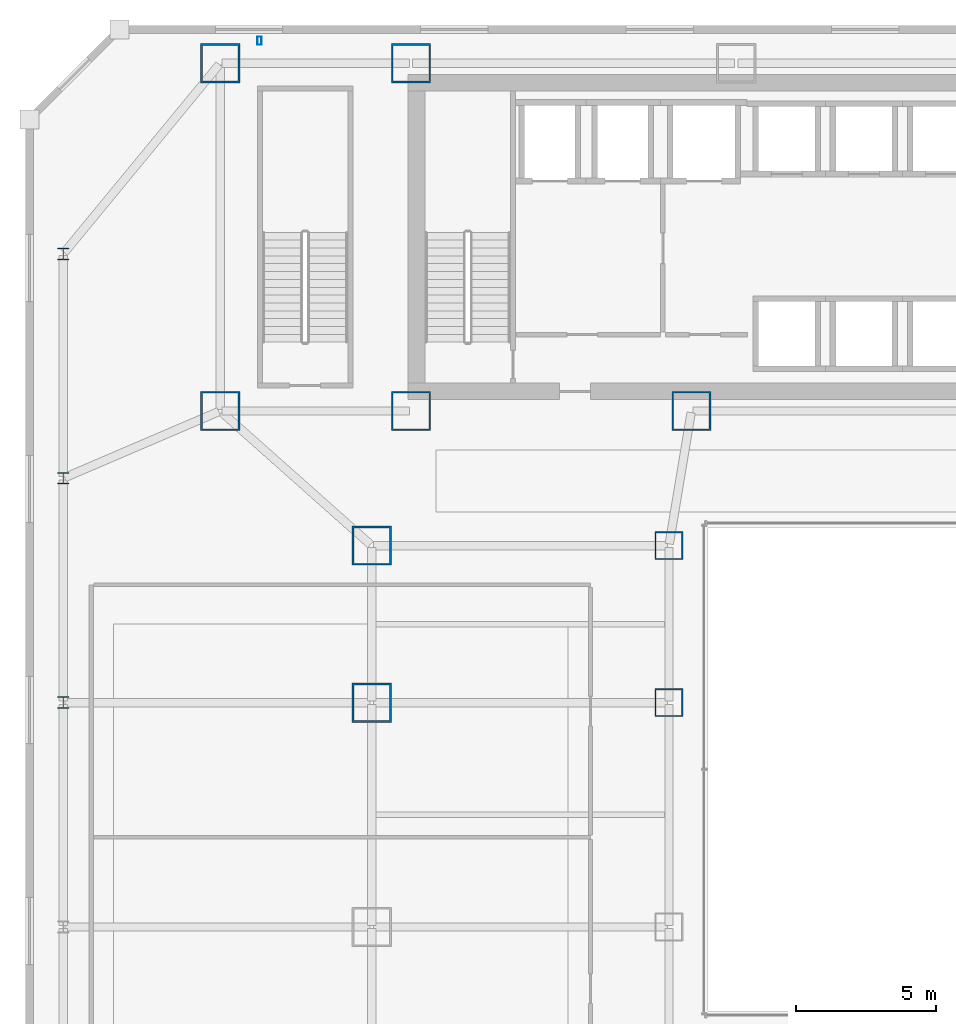
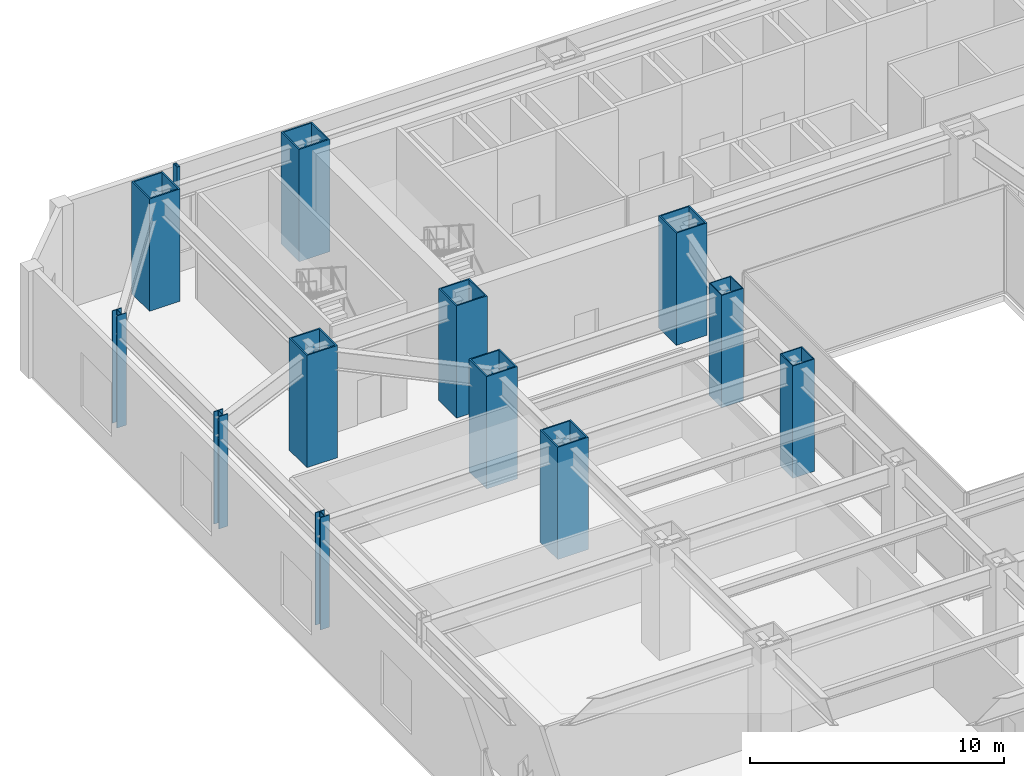
# One storey, part 3 of 53: 13 columns.
"""IFC4 building model written with IfcOpenShell, lengths in metres."""

import ifcopenshell
import ifcopenshell.guid

model = None  # the IFC model being written
_history = None  # IfcOwnerHistory: only IFC2X3 demands one
_inside = {}  # id of a spatial element -> (the spatial element, [elements in it])
_under = {}  # id of a project, library or spatial element -> (it, [spatial elements below it])
_declared = {}  # id of a project -> (the project, [libraries it declares])
_typed = {}  # id of a type object -> (the type object, [elements of that type])
_made_of = {}  # id of a material, layer set ... -> (it, [elements and type objects made of it])


def new_model(schema):
    """Start an empty IFC model of exactly this schema.

    Asked for "IFC4X3", IfcOpenShell would pick the latest addendum, in which some entities
    have other attributes; the version numbers below select the first issue.
    IFC2X3 requires an IfcOwnerHistory on every rooted entity: one is made here for all.
    """
    global model, _history
    if schema == "IFC4X3":
        model = ifcopenshell.file(schema_version=(4, 3, 0, 0))
    else:
        model = ifcopenshell.file(schema=schema)
    _inside.clear()
    _under.clear()
    _declared.clear()
    _typed.clear()
    _made_of.clear()
    _history = None
    if model.schema == "IFC2X3":
        org = make("IfcOrganization", Name="unknown")
        user = make(
            "IfcPersonAndOrganization",
            ThePerson=make("IfcPerson", FamilyName="unknown"),
            TheOrganization=org,
        )
        app = make(
            "IfcApplication",
            ApplicationDeveloper=org,
            Version="unknown",
            ApplicationFullName="unknown",
            ApplicationIdentifier="unknown",
        )
        _history = make(
            "IfcOwnerHistory",
            OwningUser=user,
            OwningApplication=app,
            ChangeAction="ADDED",
            CreationDate=0,
        )
    return model


def make(cls, **values):
    """One entity of the class cls with the attributes given. An attribute that is None is left unset."""
    return model.create_entity(
        cls, **{name: value for name, value in values.items() if value is not None}
    )


def rooted(cls, **values):
    """An entity with a GlobalId (a new one), such as an element, a storey or a relation."""
    return make(cls, GlobalId=ifcopenshell.guid.new(), OwnerHistory=_history, **values)


def si_unit(unit_type, name, prefix=None):
    """IfcSIUnit, for example si_unit("LENGTHUNIT", "METRE", prefix="MILLI")."""
    return make("IfcSIUnit", UnitType=unit_type, Prefix=prefix, Name=name)


def assignment(units):
    """IfcUnitAssignment: the units of a project."""
    return None if units is None else make("IfcUnitAssignment", Units=units)


def point(xyz):
    """IfcCartesianPoint."""
    return None if xyz is None else make("IfcCartesianPoint", Coordinates=xyz)


def direction(xyz):
    """IfcDirection."""
    return None if xyz is None else make("IfcDirection", DirectionRatios=xyz)


def frame(location, z_axis=None, x_axis=None):
    """IfcAxis2Placement3D, a coordinate frame: its origin and axes. An axis left out is left unset."""
    return make(
        "IfcAxis2Placement3D",
        Location=point(location),
        Axis=direction(z_axis),
        RefDirection=direction(x_axis),
    )


def frame_2d(location, x_axis=None):
    """IfcAxis2Placement2D, a coordinate frame in the plane: its origin and x axis."""
    return make(
        "IfcAxis2Placement2D", Location=point(location), RefDirection=direction(x_axis)
    )


def origin():
    """The frame at (0, 0, 0) with its axes left unset."""
    return frame((0.0, 0.0, 0.0))


def origin_2d():
    """The frame at (0, 0) in the plane with its x axis left unset."""
    return frame_2d((0.0, 0.0))


def place(relative_to, where):
    """IfcLocalPlacement: puts the frame where relative to a parent placement (None: the world)."""
    return make(
        "IfcLocalPlacement", PlacementRelTo=relative_to, RelativePlacement=where
    )


def context(
    kind, dimensions, precision=None, world=None, true_north=None, identifier=None
):
    """IfcGeometricRepresentationContext, for example the 3D "Model" context."""
    return make(
        "IfcGeometricRepresentationContext",
        ContextIdentifier=identifier,
        ContextType=kind,
        CoordinateSpaceDimension=dimensions,
        Precision=precision,
        WorldCoordinateSystem=world,
        TrueNorth=true_north,
    )


def subcontext(parent, identifier, kind, view, scale=None):
    """IfcGeometricRepresentationSubContext, for example "Body" below "Model"."""
    return make(
        "IfcGeometricRepresentationSubContext",
        ContextIdentifier=identifier,
        ContextType=kind,
        ParentContext=parent,
        TargetScale=scale,
        TargetView=view,
    )


def project(units=None, contexts=None):
    """IfcProject with its units and contexts."""
    return rooted(
        "IfcProject",
        Name="project",
        RepresentationContexts=contexts,
        UnitsInContext=assignment(units),
    )


def spatial(cls, under=None, at=None, **own):
    """A site, building, storey or space (cls), placed at a placement, below another one or the project."""
    s = rooted(cls, ObjectPlacement=at, **own)
    if under is not None:
        _under.setdefault(under.id(), (under, []))[1].append(s)
    return s


def profile(cls, at=None, kind="AREA", **sizes):
    """A parametric profile (cls). Its sizes go by their IFC names, for example OverallWidth=200.0."""
    return make(cls, ProfileType=kind, Position=at, **sizes)


def hollow_rectangle(**sizes):
    """IfcRectangleHollowProfileDef."""
    return profile("IfcRectangleHollowProfileDef", **sizes)


def i_section(**sizes):
    """IfcIShapeProfileDef."""
    return profile("IfcIShapeProfileDef", **sizes)


def extrude(swept, where, along, depth):
    """IfcExtrudedAreaSolid: the profile swept, set in the frame where, extruded along a direction by depth."""
    return make(
        "IfcExtrudedAreaSolid",
        SweptArea=swept,
        Position=where,
        ExtrudedDirection=direction(along),
        Depth=depth,
    )


def shape(context_of_items, identifier, shape_type, items):
    """IfcShapeRepresentation: the items that make up one representation, for example the "Body"."""
    return make(
        "IfcShapeRepresentation",
        ContextOfItems=context_of_items,
        RepresentationIdentifier=identifier,
        RepresentationType=shape_type,
        Items=items,
    )


def material(Name=None, Category=None):
    """IfcMaterial."""
    return make("IfcMaterial", Name=Name, Category=Category)


def material_profile(
    of_material, cross_section, Name=None, Category=None, Priority=None
):
    """IfcMaterialProfile: a cross section and its material."""
    return make(
        "IfcMaterialProfile",
        Name=Name,
        Material=of_material,
        Profile=cross_section,
        Priority=Priority,
        Category=Category,
    )


def profile_set(profiles, Name=None, composite=None):
    """IfcMaterialProfileSet."""
    return make(
        "IfcMaterialProfileSet",
        Name=Name,
        MaterialProfiles=profiles,
        CompositeProfile=composite,
    )


def made_of(thing, what):
    """Note that an element or type object is made of a material, layer set ...; save() writes the relation."""
    if what is not None:
        _made_of.setdefault(what.id(), (what, []))[1].append(thing)
    return thing


def type_object(cls, material=None, **own):
    """A type object (cls), such as IfcWallType, which elements share."""
    return made_of(rooted(cls, **own), material)


def element(
    cls,
    number,
    at=None,
    inside=None,
    cuts=None,
    type_object=None,
    material=None,
    context=None,
    identifier="Body",
    shape_type=None,
    held_by="IfcProductDefinitionShape",
    body=None,
    shapes=None,
    **own,
):
    """One element of the class cls, such as IfcWall. Its Tag is "e" and its number.

    at: its placement. inside: the storey or other place that contains it. cuts: it is an
    opening in that element (IfcRelVoidsElement). A single representation is given by context,
    identifier, shape_type and body (its items); several are given by shapes. held_by: the class
    of the entity that holds the representations. save() writes the other relations.
    """
    e = rooted(cls, Tag="e%d" % number, ObjectPlacement=at, **own)
    if body is not None:
        shapes = [shape(context, identifier, shape_type, body)]
    if shapes is not None:
        e.Representation = make(held_by, Representations=shapes)
    if inside is not None:
        _inside.setdefault(inside.id(), (inside, []))[1].append(e)
    if cuts is not None:
        rooted(
            "IfcRelVoidsElement", RelatingBuildingElement=cuts, RelatedOpeningElement=e
        )
    if type_object is not None:
        _typed.setdefault(type_object.id(), (type_object, []))[1].append(e)
    return made_of(e, material)


def aggregate(whole, parts):
    """IfcRelAggregates: a whole, such as a stair, and the parts it consists of."""
    return rooted("IfcRelAggregates", RelatingObject=whole, RelatedObjects=parts)


def save(model, path):
    """Write the relations noted so far, then the file.

    IfcRelAggregates (storeys below a building ...), IfcRelContainedInSpatialStructure (elements
    in a storey), IfcRelDefinesByType, IfcRelAssociatesMaterial and IfcRelDeclares: one each for
    every whole, place, type object, material and project.
    """
    for whole, parts in _under.values():
        aggregate(whole, parts)
    for where, things in _inside.values():
        rooted(
            "IfcRelContainedInSpatialStructure",
            RelatedElements=things,
            RelatingStructure=where,
        )
    for kind, things in _typed.values():
        rooted("IfcRelDefinesByType", RelatedObjects=things, RelatingType=kind)
    for what, things in _made_of.values():
        rooted("IfcRelAssociatesMaterial", RelatedObjects=things, RelatingMaterial=what)
    for by, libraries in _declared.values():
        rooted("IfcRelDeclares", RelatingContext=by, RelatedDefinitions=libraries)
    model.write(path)


model = new_model("IFC4")

# Units and contexts
model_context = context("Model", 3, precision=1e-05, world=origin(), true_north=direction((0.0, 1.0)))
body_context = subcontext(model_context, "Body", "Model", "MODEL_VIEW")
ifc_project = project(units=[si_unit("LENGTHUNIT", "METRE"), si_unit("AREAUNIT", "SQUARE_METRE"), si_unit("VOLUMEUNIT", "CUBIC_METRE"), si_unit("PLANEANGLEUNIT", "RADIAN"), si_unit("MASSUNIT", "GRAM", prefix="KILO")], contexts=[model_context])

# Site, building, storey
site_placement = place(None, origin())
site = spatial("IfcSite", under=ifc_project, at=site_placement, CompositionType="ELEMENT")
building_placement = place(site_placement, origin())
building = spatial("IfcBuilding", under=site, at=building_placement, Name="Saevonmaru Cultural Tower", CompositionType="ELEMENT")
storey_placement = place(building_placement, frame((0.0, 0.0, 22.199951171875)))
storey = spatial("IfcBuildingStorey", under=building, at=storey_placement, Name="L04", CompositionType="ELEMENT", Elevation=22.199951171875)

# Columns
ifc_material_1 = material(Name="Steel SM420", Category="steel")
ifc_material_profile_1 = material_profile(ifc_material_1, hollow_rectangle(XDim=1.0, YDim=1.0, WallThickness=0.044921875, at=origin_2d()), Name="BOX-1000x1000x45")
ifc_profile_set_1 = profile_set([ifc_material_profile_1], Name="Steel SM420")
column_type_1 = type_object("IfcColumnType", Name="COL-BOX-1000", PredefinedType="COLUMN", material=ifc_profile_set_1)
for number, where, z_axis, x_axis, name in (
    (1, (22.800048828125, 32.0, 0.0), (0.0, 0.0, 1.0), (1.0, 0.0, 0.0), "L04 Column PC-W2-E"),
    (2, (22.800048828125, 37.60009765625, 0.0), (0.0, 0.0, 1.0), (1.0, 0.0, 0.0), "L04 Column PC-W2-F"),
):
    element("IfcColumn", number, at=place(storey_placement, frame(where, z_axis=z_axis, x_axis=x_axis)), inside=storey, type_object=column_type_1, Name=name, PredefinedType="COLUMN", context=body_context, shape_type="SweptSolid", body=[
        extrude(hollow_rectangle(XDim=1.0, YDim=1.0, WallThickness=0.044921875, at=origin_2d()), origin(), (0.0, 0.0, 1.0), 5.400146484375),
    ])
ifc_material_2 = material(Name="Steel HSA600 (600 MPa)", Category="steel")
ifc_material_profile_2 = material_profile(ifc_material_2, hollow_rectangle(XDim=1.39990234375, YDim=1.39990234375, WallThickness=0.06494140625, at=origin_2d()), Name="BOX-1400x1400x65")
ifc_profile_set_2 = profile_set([ifc_material_profile_2], Name="Steel HSA600 (600 MPa)")
column_type_2 = type_object("IfcColumnType", Name="COL-BOX-1400", PredefinedType="COLUMN", material=ifc_profile_set_2)
for number, where, z_axis, x_axis, name in (
    (3, (6.800048828125, 54.800048828125, 0.0), (0.0, 0.0, 1.0), (1.0, 0.0, 0.0), "L04 Column TC-N1N"),
    (4, (13.60009765625, 54.800048828125, 0.0), (0.0, 0.0, 1.0), (1.0, 0.0, 0.0), "L04 Column TC-N2N"),
    (5, (6.800048828125, 42.39990234375, 0.0), (0.0, 0.0, 1.0), (1.0, 0.0, 0.0), "L04 Column TC-S1C"),
    (6, (13.60009765625, 42.39990234375, 0.0), (0.0, 0.0, 1.0), (1.0, 0.0, 0.0), "L04 Column TC-S2C"),
    (7, (23.60009765625, 42.39990234375, 0.0), (0.0, 0.0, 1.0), (1.0, 0.0, 0.0), "L04 Column TC-S3C"),
    (8, (12.199951171875, 32.0, 0.0), (0.0, 0.0, 1.0), (1.0, 0.0, 0.0), "L04 Column PC-W1-E"),
    (9, (12.199951171875, 37.60009765625, 0.0), (0.0, 0.0, 1.0), (1.0, 0.0, 0.0), "L04 Column PC-W1-F"),
):
    element("IfcColumn", number, at=place(storey_placement, frame(where, z_axis=z_axis, x_axis=x_axis)), inside=storey, type_object=column_type_2, Name=name, PredefinedType="COLUMN", context=body_context, shape_type="SweptSolid", body=[
        extrude(hollow_rectangle(XDim=1.39990234375, YDim=1.39990234375, WallThickness=0.06494140625, at=origin_2d()), origin(), (0.0, 0.0, 1.0), 5.400146484375),
    ])
ifc_material_profile_3 = material_profile(ifc_material_1, i_section(OverallWidth=0.419921875, OverallDepth=0.419921875, WebThickness=0.02001953125, FlangeThickness=0.034912109375, FilletRadius=0.02197265625, at=origin_2d()), Name="H-428x407x20x35")
ifc_profile_set_3 = profile_set([ifc_material_profile_3], Name="Steel SM420")
column_type_3 = type_object("IfcColumnType", Name="COL-H-428", PredefinedType="COLUMN", material=ifc_profile_set_3)
for number, where, z_axis, x_axis, name in (
    (10, (1.199951171875, 32.0, 0.0), (0.0, 0.0, 1.0), (1.0, 0.0, 0.0), "L04 Column PC-PW-E"),
    (11, (1.199951171875, 40.0, 0.0), (0.0, 0.0, 1.0), (1.0, 0.0, 0.0), "L04 Column PC-PW-F"),
    (12, (1.199951171875, 48.0, 0.0), (0.0, 0.0, 1.0), (1.0, 0.0, 0.0), "L04 Column PC-PW-G"),
):
    element("IfcColumn", number, at=place(storey_placement, frame(where, z_axis=z_axis, x_axis=x_axis)), inside=storey, type_object=column_type_3, Name=name, PredefinedType="COLUMN", context=body_context, shape_type="SweptSolid", body=[
        extrude(i_section(OverallWidth=0.419921875, OverallDepth=0.419921875, WebThickness=0.02001953125, FlangeThickness=0.034912109375, FilletRadius=0.02197265625, at=origin_2d()), origin(), (0.0, 0.0, 1.0), 5.400146484375),
    ])
ifc_material_3 = material(Name="Steel SM355", Category="steel")
ifc_material_profile_4 = material_profile(ifc_material_3, hollow_rectangle(XDim=0.14990234375, YDim=0.300048828125, WallThickness=0.010009765625, at=origin_2d()), Name="RHS-300x150x10")
ifc_profile_set_4 = profile_set([ifc_material_profile_4], Name="Steel SM355")
column_type_4 = type_object("IfcColumnType", Name="PIL-RHS-300", PredefinedType="PILASTER", material=ifc_profile_set_4)
column_placement = place(storey_placement, frame((8.199951171875, 55.60009765625, 0.0), z_axis=(0.0, 0.0, 1.0), x_axis=(1.0, 0.0, 0.0)))
element("IfcColumn", 13, at=column_placement, inside=storey, type_object=column_type_4, Name="L04 Art Deco Bronze-Clad Pilaster PIL-NW", PredefinedType="PILASTER", context=body_context, shape_type="SweptSolid", body=[
    extrude(hollow_rectangle(XDim=0.14990234375, YDim=0.300048828125, WallThickness=0.010009765625, at=origin_2d()), origin(), (0.0, 0.0, 1.0), 5.400146484375),
])

save(model, "model.ifc")
